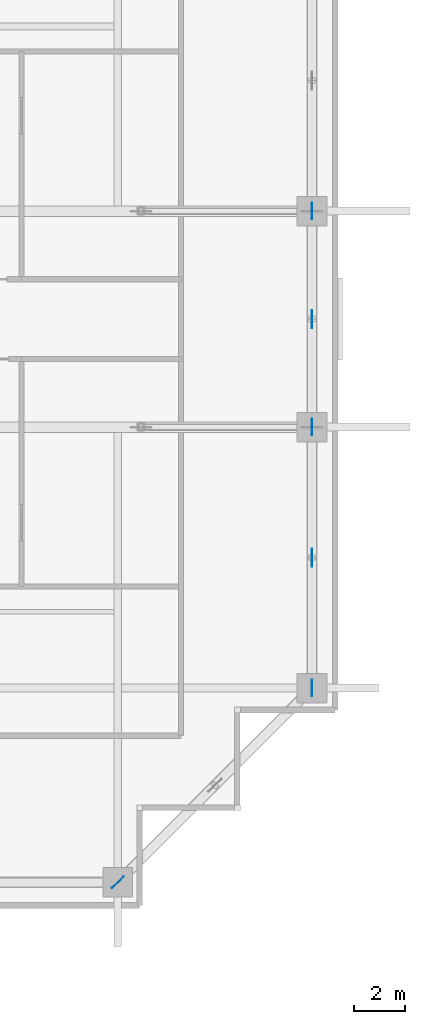
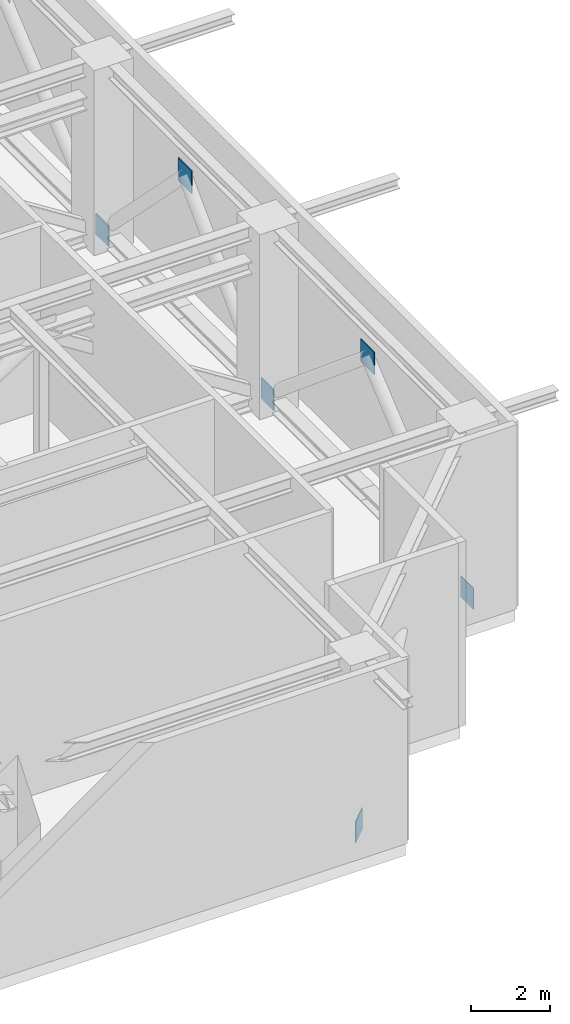
# One storey, part 12 of 22: 6 plates.
"""IFC4 building model written with IfcOpenShell, lengths in metres."""

from ifc_helpers import new_model, si_unit, direction, frame, origin, origin_2d, place, context, subcontext, project, spatial, rectangle, extrude, source, transform, mapped, material, layer, layer_set, type_object, element, save


model = new_model("IFC4")

# Units and contexts
model_context = context("Model", 3, precision=1e-05, world=origin(), true_north=direction((0.0, 1.0)))
body_context = subcontext(model_context, "Body", "Model", "MODEL_VIEW")
ifc_project = project(units=[si_unit("LENGTHUNIT", "METRE"), si_unit("AREAUNIT", "SQUARE_METRE"), si_unit("VOLUMEUNIT", "CUBIC_METRE"), si_unit("PLANEANGLEUNIT", "RADIAN"), si_unit("MASSUNIT", "GRAM", prefix="KILO")], contexts=[model_context])

# Site, building, storey
site_placement = place(None, origin())
site = spatial("IfcSite", under=ifc_project, at=site_placement, CompositionType="ELEMENT")
building_placement = place(site_placement, origin())
building = spatial("IfcBuilding", under=site, at=building_placement, Name="Serunith Strait Residences", CompositionType="ELEMENT")
storey_placement = place(building_placement, frame((0.0, 0.0, 287.449951171875)))
storey = spatial("IfcBuildingStorey", under=building, at=storey_placement, Name="L72", CompositionType="ELEMENT", Elevation=287.449951171875)

# Plates
ifc_material = material(Name="Steel S460M", Category="steel")
ifc_layer = layer(ifc_material, 0.02490234375, Name="Steel S460M")
ifc_layer_set = layer_set([ifc_layer], Name="Steel S460M")
plate_type = type_object("IfcPlateType", Name="PLT-CAP-25", PredefinedType="SHEET", material=ifc_layer_set)
shared_shape_1 = source(origin(), body_context, "Body", "SweptSolid", [
    extrude(rectangle(XDim=0.699951171875, YDim=0.02490234375, at=origin_2d()), origin(), (0.0, 0.0, 1.0), 0.699951171875),
])
for number, where, z_axis, x_axis, name in (
    (1, (54.699951171875, 15.925048828125, 4.14013671875), (0.0, 0.0, 1.0), (0.0, 1.0, 0.0), "L72 Belt Truss Apex Gusset 05"),
    (2, (54.699951171875, 25.199951171875, 4.14013671875), (0.0, 0.0, 1.0), (0.0, 1.0, 0.0), "L72 Belt Truss Apex Gusset 06"),
):
    element("IfcPlate", number, at=place(storey_placement, frame(where, z_axis=z_axis, x_axis=x_axis)), inside=storey, type_object=plate_type, Name=name, PredefinedType="SHEET", context=body_context, shape_type="MappedRepresentation", body=[
        mapped(shared_shape_1, transform((0.0, 0.0, 0.0), scale=1.0)),
    ])
shared_shape_2 = source(origin(), body_context, "Body", "SweptSolid", [
    extrude(rectangle(XDim=0.64990234375, YDim=0.02490234375, at=origin_2d()), origin(), (0.0, 0.0, 1.0), 0.64990234375),
])
for number, where, z_axis, x_axis, name in (
    (3, (47.14990234375, 3.300048828125, -0.074951171875), (0.0, 0.0, 1.0), (0.707106781187, 0.707106781187, 0.0), "L72 Belt Truss Column Node Plate 04"),
    (4, (54.699951171875, 10.85009765625, -0.074951171875), (0.0, 0.0, 1.0), (0.0, 1.0, 0.0), "L72 Belt Truss Column Node Plate 05"),
    (5, (54.699951171875, 21.0, -0.074951171875), (0.0, 0.0, 1.0), (0.0, 1.0, 0.0), "L72 Belt Truss Column Node Plate 06"),
    (6, (54.699951171875, 29.39990234375, -0.074951171875), (0.0, 0.0, 1.0), (0.0, 1.0, 0.0), "L72 Belt Truss Column Node Plate 07"),
):
    element("IfcPlate", number, at=place(storey_placement, frame(where, z_axis=z_axis, x_axis=x_axis)), inside=storey, type_object=plate_type, Name=name, PredefinedType="SHEET", context=body_context, shape_type="MappedRepresentation", body=[
        mapped(shared_shape_2, transform((0.0, 0.0, 0.0), scale=1.0)),
    ])

save(model, "model.ifc")
